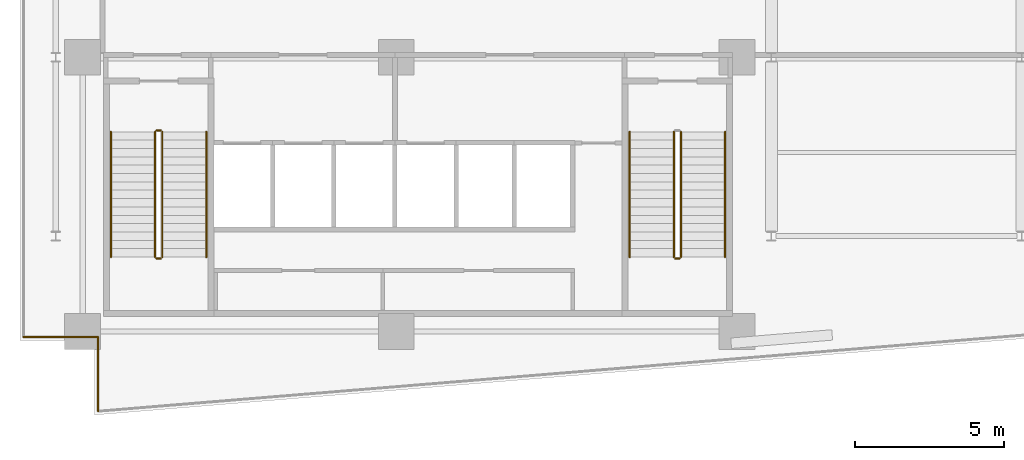
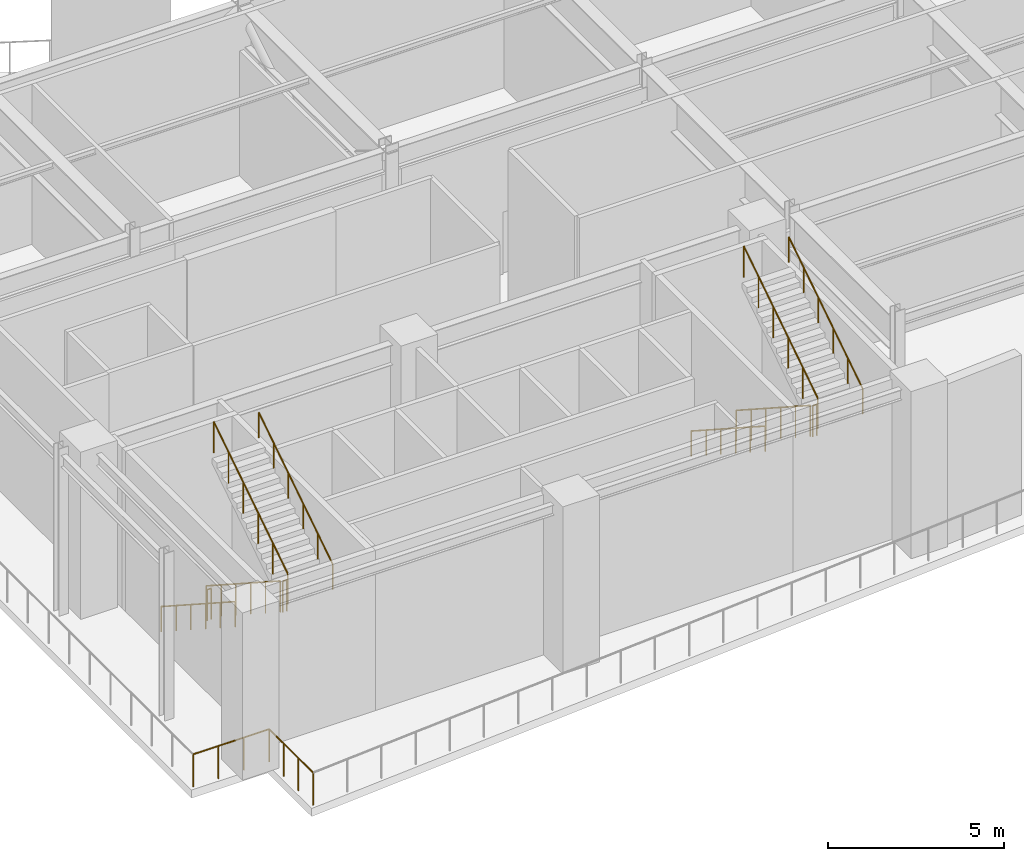
# One storey, part 10 of 13: 13 railings.
"""IFC4 building model written with IfcOpenShell, lengths in metres."""

from ifc_helpers import new_model, si_unit, direction, frame, origin, origin_2d, place, context, subcontext, project, spatial, circle, extrude, material, type_object, element, save


model = new_model("IFC4")

# Units and contexts
model_context = context("Model", 3, precision=1e-05, world=origin(), true_north=direction((0.0, 1.0)))
body_context = subcontext(model_context, "Body", "Model", "MODEL_VIEW")
ifc_project = project(units=[si_unit("LENGTHUNIT", "METRE"), si_unit("AREAUNIT", "SQUARE_METRE"), si_unit("VOLUMEUNIT", "CUBIC_METRE"), si_unit("PLANEANGLEUNIT", "RADIAN"), si_unit("MASSUNIT", "GRAM", prefix="KILO")], contexts=[model_context])

# Site, building, storey
site_placement = place(None, origin())
site = spatial("IfcSite", under=ifc_project, at=site_placement, CompositionType="ELEMENT")
building_placement = place(site_placement, origin())
building = spatial("IfcBuilding", under=site, at=building_placement, Name="Varnakote Quay Hospital", CompositionType="ELEMENT")
storey_placement = place(building_placement, frame((0.0, 0.0, 174.449951171875)))
storey = spatial("IfcBuildingStorey", under=building, at=storey_placement, Name="L43", CompositionType="ELEMENT", Elevation=174.449951171875)

# Railings
ifc_material_1 = material(Name="Anodised aluminium 6063-T6 Bronze", Category="aluminium")
railing_type_1 = type_object("IfcRailingType", Name="RLG-EXT-GUARD-1150", PredefinedType="GUARDRAIL", material=ifc_material_1)
railing_1_placement = place(storey_placement, frame((2.6201171875, 0.13037109375, 0.0)))
element("IfcRailing", 1, at=railing_1_placement, inside=storey, type_object=railing_type_1, Name="L43 Open Wind-Damping Deck Perimeter Safety Guard", PredefinedType="GUARDRAIL", context=body_context, shape_type="SweptSolid", body=[
    extrude(circle(Radius=0.02392578125, at=origin_2d()), frame((0.0, 0.0, 1.1259765625), z_axis=(0.0, 1.0, 0.0), x_axis=(-1.0, 0.0, 0.0)), (0.0, 0.0, 1.0), 2.48974609375),
    extrude(circle(Radius=0.02099609375, at=origin_2d()), origin(), (0.0, 0.0, 1.0), 1.101806640625),
    extrude(circle(Radius=0.02099609375, at=origin_2d()), frame((0.0, 0.829833984375, 0.0)), (0.0, 0.0, 1.0), 1.101806640625),
    extrude(circle(Radius=0.02099609375, at=origin_2d()), frame((0.0, 1.659912109375, 0.0)), (0.0, 0.0, 1.0), 1.101806640625),
    extrude(circle(Radius=0.02099609375, at=origin_2d()), frame((0.0, 2.48974609375, 0.0)), (0.0, 0.0, 1.0), 1.101806640625),
])
railing_2_placement = place(storey_placement, frame((2.6201171875, 2.6201171875, 0.0)))
element("IfcRailing", 2, at=railing_2_placement, inside=storey, type_object=railing_type_1, Name="L43 Open Wind-Damping Deck Perimeter Safety Guard", PredefinedType="GUARDRAIL", context=body_context, shape_type="SweptSolid", body=[
    extrude(circle(Radius=0.02392578125, at=origin_2d()), frame((0.0, 0.0, 1.1259765625), z_axis=(-1.0, 0.0, 0.0), x_axis=(0.0, -1.0, 0.0)), (0.0, 0.0, 1.0), 2.5),
    extrude(circle(Radius=0.02099609375, at=origin_2d()), origin(), (0.0, 0.0, 1.0), 1.101806640625),
    extrude(circle(Radius=0.02099609375, at=origin_2d()), frame((-0.833251953125, 0.0, 0.0)), (0.0, 0.0, 1.0), 1.101806640625),
    extrude(circle(Radius=0.02099609375, at=origin_2d()), frame((-1.666748046875, 0.0, 0.0)), (0.0, 0.0, 1.0), 1.101806640625),
    extrude(circle(Radius=0.02099609375, at=origin_2d()), frame((-2.5, 0.0, 0.0)), (0.0, 0.0, 1.0), 1.101806640625),
])
ifc_material_2 = material(Name="Brushed stainless steel balustrade", Category="steel")
railing_type_2 = type_object("IfcRailingType", Name="RLG-STAIR-GUARD-1150", PredefinedType="GUARDRAIL", material=ifc_material_2)
railing_3_placement = place(storey_placement, frame((4.530029296875, 9.5, 0.181396484375)))
element("IfcRailing", 3, at=railing_3_placement, inside=storey, type_object=railing_type_2, Name="L43 ST-01 stair guard 1", PredefinedType="GUARDRAIL", context=body_context, shape_type="SweptSolid", body=[
    extrude(circle(Radius=0.02392578125, at=origin_2d()), frame((0.0, 0.0, 1.076171875), z_axis=(0.0, -0.839466714631, 0.543411110511), x_axis=(1.0, 0.0, 0.0)), (0.0, 0.0, 1.0), 5.003173828125),
    extrude(circle(Radius=0.02099609375, at=origin_2d()), origin(), (0.0, 0.0, 1.0), 1.052001953125),
    extrude(circle(Radius=0.02099609375, at=origin_2d()), frame((0.0, -0.840087890625, 0.543701171875)), (0.0, 0.0, 1.0), 1.052001953125),
    extrude(circle(Radius=0.02099609375, at=origin_2d()), frame((0.0, -1.679931640625, 1.08740234375)), (0.0, 0.0, 1.0), 1.052001953125),
    extrude(circle(Radius=0.02099609375, at=origin_2d()), frame((0.0, -2.52001953125, 1.63134765625)), (0.0, 0.0, 1.0), 1.052001953125),
    extrude(circle(Radius=0.02099609375, at=origin_2d()), frame((0.0, -3.35986328125, 2.175048828125)), (0.0, 0.0, 1.0), 1.052001953125),
    extrude(circle(Radius=0.02099609375, at=origin_2d()), frame((0.0, -4.199951171875, 2.71875)), (0.0, 0.0, 1.0), 1.052001953125),
])
railing_4_placement = place(storey_placement, frame((4.580078125, 5.25, 2.900146484375)))
element("IfcRailing", 4, at=railing_4_placement, inside=storey, type_object=railing_type_2, Name="L43 ST-01 stair guard 2", PredefinedType="GUARDRAIL", context=body_context, shape_type="SweptSolid", body=[
    extrude(circle(Radius=0.02392578125, at=origin_2d()), frame((0.0, 0.0, 1.076171875), z_axis=(1.0, 0.0, 0.0), x_axis=(0.0, 1.0, 0.0)), (0.0, 0.0, 1.0), 0.139892578125),
    extrude(circle(Radius=0.02099609375, at=origin_2d()), origin(), (0.0, 0.0, 1.0), 1.052001953125),
    extrude(circle(Radius=0.02099609375, at=origin_2d()), frame((0.139892578125, 0.0, 0.0)), (0.0, 0.0, 1.0), 1.052001953125),
])
railing_5_placement = place(storey_placement, frame((4.77001953125, 5.300048828125, 3.081298828125)))
element("IfcRailing", 5, at=railing_5_placement, inside=storey, type_object=railing_type_2, Name="L43 ST-01 stair guard 3", PredefinedType="GUARDRAIL", context=body_context, shape_type="SweptSolid", body=[
    extrude(circle(Radius=0.02392578125, at=origin_2d()), frame((0.0, 0.0, 1.076171875), z_axis=(0.0, 0.839466714631, 0.543411110511), x_axis=(-1.0, 0.0, 0.0)), (0.0, 0.0, 1.0), 5.003173828125),
    extrude(circle(Radius=0.02099609375, at=origin_2d()), origin(), (0.0, 0.0, 1.0), 1.052001953125),
    extrude(circle(Radius=0.02099609375, at=origin_2d()), frame((0.0, 0.840087890625, 0.543701171875)), (0.0, 0.0, 1.0), 1.052001953125),
    extrude(circle(Radius=0.02099609375, at=origin_2d()), frame((0.0, 1.679931640625, 1.08740234375)), (0.0, 0.0, 1.0), 1.052001953125),
    extrude(circle(Radius=0.02099609375, at=origin_2d()), frame((0.0, 2.52001953125, 1.63134765625)), (0.0, 0.0, 1.0), 1.052001953125),
    extrude(circle(Radius=0.02099609375, at=origin_2d()), frame((0.0, 3.35986328125, 2.175048828125)), (0.0, 0.0, 1.0), 1.052001953125),
    extrude(circle(Radius=0.02099609375, at=origin_2d()), frame((0.0, 4.199951171875, 2.71875)), (0.0, 0.0, 1.0), 1.052001953125),
])
railing_6_placement = place(storey_placement, frame((4.580078125, 9.550048828125, 0.0)))
element("IfcRailing", 6, at=railing_6_placement, inside=storey, type_object=railing_type_2, Name="L43 ST-01 stair guard 4", PredefinedType="GUARDRAIL", context=body_context, shape_type="SweptSolid", body=[
    extrude(circle(Radius=0.02392578125, at=origin_2d()), frame((0.0, 0.0, 1.076171875), z_axis=(1.0, 0.0, 0.0), x_axis=(0.0, 1.0, 0.0)), (0.0, 0.0, 1.0), 0.139892578125),
    extrude(circle(Radius=0.02099609375, at=origin_2d()), origin(), (0.0, 0.0, 1.0), 1.052001953125),
    extrude(circle(Radius=0.02099609375, at=origin_2d()), frame((0.139892578125, 0.0, 0.0)), (0.0, 0.0, 1.0), 1.052001953125),
])
railing_7_placement = place(storey_placement, frame((21.929931640625, 9.5, 0.181396484375)))
element("IfcRailing", 7, at=railing_7_placement, inside=storey, type_object=railing_type_2, Name="L43 ST-02 stair guard 1", PredefinedType="GUARDRAIL", context=body_context, shape_type="SweptSolid", body=[
    extrude(circle(Radius=0.02392578125, at=origin_2d()), frame((0.0, 0.0, 1.076171875), z_axis=(0.0, -0.839466714631, 0.543411110511), x_axis=(1.0, 0.0, 0.0)), (0.0, 0.0, 1.0), 5.003173828125),
    extrude(circle(Radius=0.02099609375, at=origin_2d()), origin(), (0.0, 0.0, 1.0), 1.052001953125),
    extrude(circle(Radius=0.02099609375, at=origin_2d()), frame((0.0, -0.840087890625, 0.543701171875)), (0.0, 0.0, 1.0), 1.052001953125),
    extrude(circle(Radius=0.02099609375, at=origin_2d()), frame((0.0, -1.679931640625, 1.08740234375)), (0.0, 0.0, 1.0), 1.052001953125),
    extrude(circle(Radius=0.02099609375, at=origin_2d()), frame((0.0, -2.52001953125, 1.63134765625)), (0.0, 0.0, 1.0), 1.052001953125),
    extrude(circle(Radius=0.02099609375, at=origin_2d()), frame((0.0, -3.35986328125, 2.175048828125)), (0.0, 0.0, 1.0), 1.052001953125),
    extrude(circle(Radius=0.02099609375, at=origin_2d()), frame((0.0, -4.199951171875, 2.71875)), (0.0, 0.0, 1.0), 1.052001953125),
])
railing_8_placement = place(storey_placement, frame((21.97998046875, 5.25, 2.900146484375)))
element("IfcRailing", 8, at=railing_8_placement, inside=storey, type_object=railing_type_2, Name="L43 ST-02 stair guard 2", PredefinedType="GUARDRAIL", context=body_context, shape_type="SweptSolid", body=[
    extrude(circle(Radius=0.02392578125, at=origin_2d()), frame((0.0, 0.0, 1.076171875), z_axis=(1.0, 0.0, 0.0), x_axis=(0.0, 1.0, 0.0)), (0.0, 0.0, 1.0), 0.14013671875),
    extrude(circle(Radius=0.02099609375, at=origin_2d()), origin(), (0.0, 0.0, 1.0), 1.052001953125),
    extrude(circle(Radius=0.02099609375, at=origin_2d()), frame((0.14013671875, 0.0, 0.0)), (0.0, 0.0, 1.0), 1.052001953125),
])
railing_9_placement = place(storey_placement, frame((22.169921875, 5.300048828125, 3.081298828125)))
element("IfcRailing", 9, at=railing_9_placement, inside=storey, type_object=railing_type_2, Name="L43 ST-02 stair guard 3", PredefinedType="GUARDRAIL", context=body_context, shape_type="SweptSolid", body=[
    extrude(circle(Radius=0.02392578125, at=origin_2d()), frame((0.0, 0.0, 1.076171875), z_axis=(0.0, 0.839466714631, 0.543411110511), x_axis=(-1.0, 0.0, 0.0)), (0.0, 0.0, 1.0), 5.003173828125),
    extrude(circle(Radius=0.02099609375, at=origin_2d()), origin(), (0.0, 0.0, 1.0), 1.052001953125),
    extrude(circle(Radius=0.02099609375, at=origin_2d()), frame((0.0, 0.840087890625, 0.543701171875)), (0.0, 0.0, 1.0), 1.052001953125),
    extrude(circle(Radius=0.02099609375, at=origin_2d()), frame((0.0, 1.679931640625, 1.08740234375)), (0.0, 0.0, 1.0), 1.052001953125),
    extrude(circle(Radius=0.02099609375, at=origin_2d()), frame((0.0, 2.52001953125, 1.63134765625)), (0.0, 0.0, 1.0), 1.052001953125),
    extrude(circle(Radius=0.02099609375, at=origin_2d()), frame((0.0, 3.35986328125, 2.175048828125)), (0.0, 0.0, 1.0), 1.052001953125),
    extrude(circle(Radius=0.02099609375, at=origin_2d()), frame((0.0, 4.199951171875, 2.71875)), (0.0, 0.0, 1.0), 1.052001953125),
])
ifc_material_3 = material(Name="Brushed stainless steel handrail", Category="steel")
railing_type_3 = type_object("IfcRailingType", Name="RLG-STAIR-HND-920", PredefinedType="HANDRAIL", material=ifc_material_3)
railing_10_placement = place(storey_placement, frame((3.050048828125, 9.5, 0.181396484375)))
element("IfcRailing", 10, at=railing_10_placement, inside=storey, type_object=railing_type_3, Name="L43 ST-01 stair handrail 1", PredefinedType="HANDRAIL", context=body_context, shape_type="SweptSolid", body=[
    extrude(circle(Radius=0.02392578125, at=origin_2d()), frame((0.0, 0.0, 0.8759765625), z_axis=(0.0, -0.839466714631, 0.543411110511), x_axis=(1.0, 0.0, 0.0)), (0.0, 0.0, 1.0), 5.003173828125),
    extrude(circle(Radius=0.02099609375, at=origin_2d()), origin(), (0.0, 0.0, 1.0), 0.851806640625),
    extrude(circle(Radius=0.02099609375, at=origin_2d()), frame((0.0, -0.840087890625, 0.543701171875)), (0.0, 0.0, 1.0), 0.851806640625),
    extrude(circle(Radius=0.02099609375, at=origin_2d()), frame((0.0, -1.679931640625, 1.08740234375)), (0.0, 0.0, 1.0), 0.851806640625),
    extrude(circle(Radius=0.02099609375, at=origin_2d()), frame((0.0, -2.52001953125, 1.63134765625)), (0.0, 0.0, 1.0), 0.851806640625),
    extrude(circle(Radius=0.02099609375, at=origin_2d()), frame((0.0, -3.35986328125, 2.175048828125)), (0.0, 0.0, 1.0), 0.851806640625),
    extrude(circle(Radius=0.02099609375, at=origin_2d()), frame((0.0, -4.199951171875, 2.71875)), (0.0, 0.0, 1.0), 0.851806640625),
])
railing_11_placement = place(storey_placement, frame((6.25, 5.300048828125, 3.081298828125)))
element("IfcRailing", 11, at=railing_11_placement, inside=storey, type_object=railing_type_3, Name="L43 ST-01 stair handrail 2", PredefinedType="HANDRAIL", context=body_context, shape_type="SweptSolid", body=[
    extrude(circle(Radius=0.02392578125, at=origin_2d()), frame((0.0, 0.0, 0.8759765625), z_axis=(0.0, 0.839466714631, 0.543411110511), x_axis=(-1.0, 0.0, 0.0)), (0.0, 0.0, 1.0), 5.003173828125),
    extrude(circle(Radius=0.02099609375, at=origin_2d()), origin(), (0.0, 0.0, 1.0), 0.851806640625),
    extrude(circle(Radius=0.02099609375, at=origin_2d()), frame((0.0, 0.840087890625, 0.543701171875)), (0.0, 0.0, 1.0), 0.851806640625),
    extrude(circle(Radius=0.02099609375, at=origin_2d()), frame((0.0, 1.679931640625, 1.08740234375)), (0.0, 0.0, 1.0), 0.851806640625),
    extrude(circle(Radius=0.02099609375, at=origin_2d()), frame((0.0, 2.52001953125, 1.63134765625)), (0.0, 0.0, 1.0), 0.851806640625),
    extrude(circle(Radius=0.02099609375, at=origin_2d()), frame((0.0, 3.35986328125, 2.175048828125)), (0.0, 0.0, 1.0), 0.851806640625),
    extrude(circle(Radius=0.02099609375, at=origin_2d()), frame((0.0, 4.199951171875, 2.71875)), (0.0, 0.0, 1.0), 0.851806640625),
])
railing_12_placement = place(storey_placement, frame((20.449951171875, 9.5, 0.181396484375)))
element("IfcRailing", 12, at=railing_12_placement, inside=storey, type_object=railing_type_3, Name="L43 ST-02 stair handrail 1", PredefinedType="HANDRAIL", context=body_context, shape_type="SweptSolid", body=[
    extrude(circle(Radius=0.02392578125, at=origin_2d()), frame((0.0, 0.0, 0.8759765625), z_axis=(0.0, -0.839466714631, 0.543411110511), x_axis=(1.0, 0.0, 0.0)), (0.0, 0.0, 1.0), 5.003173828125),
    extrude(circle(Radius=0.02099609375, at=origin_2d()), origin(), (0.0, 0.0, 1.0), 0.851806640625),
    extrude(circle(Radius=0.02099609375, at=origin_2d()), frame((0.0, -0.840087890625, 0.543701171875)), (0.0, 0.0, 1.0), 0.851806640625),
    extrude(circle(Radius=0.02099609375, at=origin_2d()), frame((0.0, -1.679931640625, 1.08740234375)), (0.0, 0.0, 1.0), 0.851806640625),
    extrude(circle(Radius=0.02099609375, at=origin_2d()), frame((0.0, -2.52001953125, 1.63134765625)), (0.0, 0.0, 1.0), 0.851806640625),
    extrude(circle(Radius=0.02099609375, at=origin_2d()), frame((0.0, -3.35986328125, 2.175048828125)), (0.0, 0.0, 1.0), 0.851806640625),
    extrude(circle(Radius=0.02099609375, at=origin_2d()), frame((0.0, -4.199951171875, 2.71875)), (0.0, 0.0, 1.0), 0.851806640625),
])
railing_13_placement = place(storey_placement, frame((23.64990234375, 5.300048828125, 3.081298828125)))
element("IfcRailing", 13, at=railing_13_placement, inside=storey, type_object=railing_type_3, Name="L43 ST-02 stair handrail 2", PredefinedType="HANDRAIL", context=body_context, shape_type="SweptSolid", body=[
    extrude(circle(Radius=0.02392578125, at=origin_2d()), frame((0.0, 0.0, 0.8759765625), z_axis=(0.0, 0.839466714631, 0.543411110511), x_axis=(-1.0, 0.0, 0.0)), (0.0, 0.0, 1.0), 5.003173828125),
    extrude(circle(Radius=0.02099609375, at=origin_2d()), origin(), (0.0, 0.0, 1.0), 0.851806640625),
    extrude(circle(Radius=0.02099609375, at=origin_2d()), frame((0.0, 0.840087890625, 0.543701171875)), (0.0, 0.0, 1.0), 0.851806640625),
    extrude(circle(Radius=0.02099609375, at=origin_2d()), frame((0.0, 1.679931640625, 1.08740234375)), (0.0, 0.0, 1.0), 0.851806640625),
    extrude(circle(Radius=0.02099609375, at=origin_2d()), frame((0.0, 2.52001953125, 1.63134765625)), (0.0, 0.0, 1.0), 0.851806640625),
    extrude(circle(Radius=0.02099609375, at=origin_2d()), frame((0.0, 3.35986328125, 2.175048828125)), (0.0, 0.0, 1.0), 0.851806640625),
    extrude(circle(Radius=0.02099609375, at=origin_2d()), frame((0.0, 4.199951171875, 2.71875)), (0.0, 0.0, 1.0), 0.851806640625),
])

save(model, "model.ifc")
